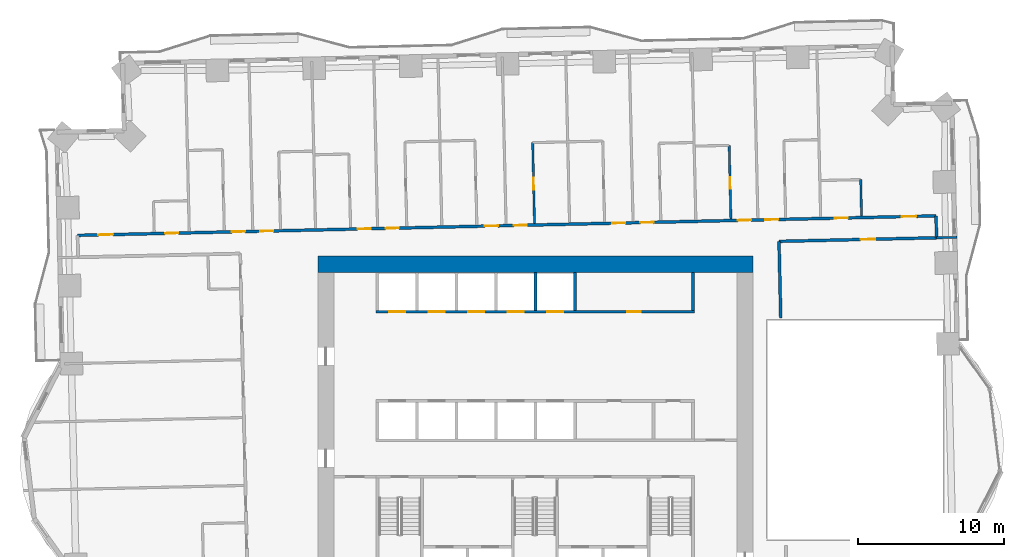
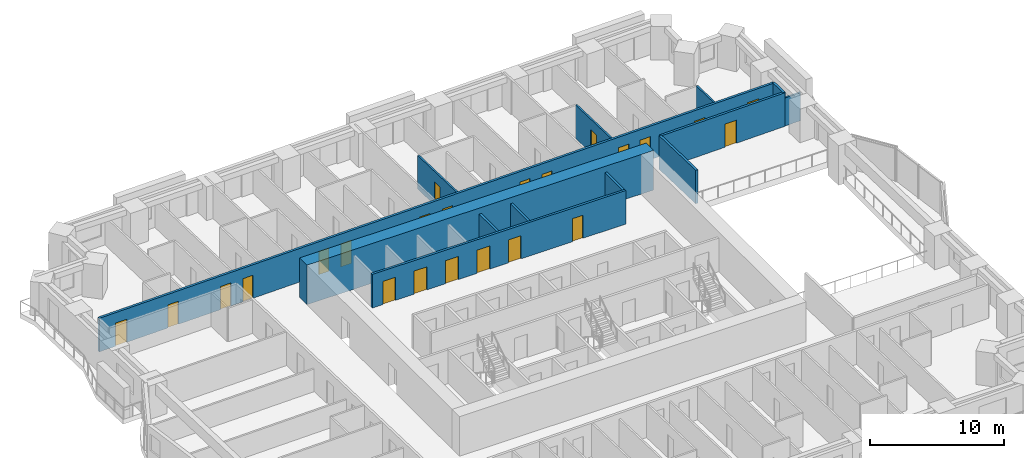
# One storey, part 10 of 16: 23 doors, 13 walls, 23 openings.
"""IFC4 building model written with IfcOpenShell, lengths in metres."""

import ifcopenshell
import ifcopenshell.guid

model = None  # the IFC model being written
_history = None  # IfcOwnerHistory: only IFC2X3 demands one
_inside = {}  # id of a spatial element -> (the spatial element, [elements in it])
_under = {}  # id of a project, library or spatial element -> (it, [spatial elements below it])
_declared = {}  # id of a project -> (the project, [libraries it declares])
_typed = {}  # id of a type object -> (the type object, [elements of that type])
_made_of = {}  # id of a material, layer set ... -> (it, [elements and type objects made of it])


def new_model(schema):
    """Start an empty IFC model of exactly this schema.

    Asked for "IFC4X3", IfcOpenShell would pick the latest addendum, in which some entities
    have other attributes; the version numbers below select the first issue.
    IFC2X3 requires an IfcOwnerHistory on every rooted entity: one is made here for all.
    """
    global model, _history
    if schema == "IFC4X3":
        model = ifcopenshell.file(schema_version=(4, 3, 0, 0))
    else:
        model = ifcopenshell.file(schema=schema)
    _inside.clear()
    _under.clear()
    _declared.clear()
    _typed.clear()
    _made_of.clear()
    _history = None
    if model.schema == "IFC2X3":
        org = make("IfcOrganization", Name="unknown")
        user = make(
            "IfcPersonAndOrganization",
            ThePerson=make("IfcPerson", FamilyName="unknown"),
            TheOrganization=org,
        )
        app = make(
            "IfcApplication",
            ApplicationDeveloper=org,
            Version="unknown",
            ApplicationFullName="unknown",
            ApplicationIdentifier="unknown",
        )
        _history = make(
            "IfcOwnerHistory",
            OwningUser=user,
            OwningApplication=app,
            ChangeAction="ADDED",
            CreationDate=0,
        )
    return model


def make(cls, **values):
    """One entity of the class cls with the attributes given. An attribute that is None is left unset."""
    return model.create_entity(
        cls, **{name: value for name, value in values.items() if value is not None}
    )


def rooted(cls, **values):
    """An entity with a GlobalId (a new one), such as an element, a storey or a relation."""
    return make(cls, GlobalId=ifcopenshell.guid.new(), OwnerHistory=_history, **values)


def si_unit(unit_type, name, prefix=None):
    """IfcSIUnit, for example si_unit("LENGTHUNIT", "METRE", prefix="MILLI")."""
    return make("IfcSIUnit", UnitType=unit_type, Prefix=prefix, Name=name)


def assignment(units):
    """IfcUnitAssignment: the units of a project."""
    return None if units is None else make("IfcUnitAssignment", Units=units)


def point(xyz):
    """IfcCartesianPoint."""
    return None if xyz is None else make("IfcCartesianPoint", Coordinates=xyz)


def direction(xyz):
    """IfcDirection."""
    return None if xyz is None else make("IfcDirection", DirectionRatios=xyz)


def frame(location, z_axis=None, x_axis=None):
    """IfcAxis2Placement3D, a coordinate frame: its origin and axes. An axis left out is left unset."""
    return make(
        "IfcAxis2Placement3D",
        Location=point(location),
        Axis=direction(z_axis),
        RefDirection=direction(x_axis),
    )


def frame_2d(location, x_axis=None):
    """IfcAxis2Placement2D, a coordinate frame in the plane: its origin and x axis."""
    return make(
        "IfcAxis2Placement2D", Location=point(location), RefDirection=direction(x_axis)
    )


def origin():
    """The frame at (0, 0, 0) with its axes left unset."""
    return frame((0.0, 0.0, 0.0))


def place(relative_to, where):
    """IfcLocalPlacement: puts the frame where relative to a parent placement (None: the world)."""
    return make(
        "IfcLocalPlacement", PlacementRelTo=relative_to, RelativePlacement=where
    )


def context(
    kind, dimensions, precision=None, world=None, true_north=None, identifier=None
):
    """IfcGeometricRepresentationContext, for example the 3D "Model" context."""
    return make(
        "IfcGeometricRepresentationContext",
        ContextIdentifier=identifier,
        ContextType=kind,
        CoordinateSpaceDimension=dimensions,
        Precision=precision,
        WorldCoordinateSystem=world,
        TrueNorth=true_north,
    )


def subcontext(parent, identifier, kind, view, scale=None):
    """IfcGeometricRepresentationSubContext, for example "Body" below "Model"."""
    return make(
        "IfcGeometricRepresentationSubContext",
        ContextIdentifier=identifier,
        ContextType=kind,
        ParentContext=parent,
        TargetScale=scale,
        TargetView=view,
    )


def project(units=None, contexts=None):
    """IfcProject with its units and contexts."""
    return rooted(
        "IfcProject",
        Name="project",
        RepresentationContexts=contexts,
        UnitsInContext=assignment(units),
    )


def spatial(cls, under=None, at=None, **own):
    """A site, building, storey or space (cls), placed at a placement, below another one or the project."""
    s = rooted(cls, ObjectPlacement=at, **own)
    if under is not None:
        _under.setdefault(under.id(), (under, []))[1].append(s)
    return s


def profile(cls, at=None, kind="AREA", **sizes):
    """A parametric profile (cls). Its sizes go by their IFC names, for example OverallWidth=200.0."""
    return make(cls, ProfileType=kind, Position=at, **sizes)


def rectangle(**sizes):
    """IfcRectangleProfileDef."""
    return profile("IfcRectangleProfileDef", **sizes)


def extrude(swept, where, along, depth):
    """IfcExtrudedAreaSolid: the profile swept, set in the frame where, extruded along a direction by depth."""
    return make(
        "IfcExtrudedAreaSolid",
        SweptArea=swept,
        Position=where,
        ExtrudedDirection=direction(along),
        Depth=depth,
    )


def shape(context_of_items, identifier, shape_type, items):
    """IfcShapeRepresentation: the items that make up one representation, for example the "Body"."""
    return make(
        "IfcShapeRepresentation",
        ContextOfItems=context_of_items,
        RepresentationIdentifier=identifier,
        RepresentationType=shape_type,
        Items=items,
    )


def material(Name=None, Category=None):
    """IfcMaterial."""
    return make("IfcMaterial", Name=Name, Category=Category)


def layer(
    of_material, thickness, ventilated=None, Name=None, Category=None, Priority=None
):
    """IfcMaterialLayer: one layer of a wall or slab, of a material (None: an air gap)."""
    return make(
        "IfcMaterialLayer",
        Material=of_material,
        LayerThickness=thickness,
        IsVentilated=ventilated,
        Name=Name,
        Category=Category,
        Priority=Priority,
    )


def layer_set(layers, Name=None):
    """IfcMaterialLayerSet."""
    return make("IfcMaterialLayerSet", MaterialLayers=layers, LayerSetName=Name)


def made_of(thing, what):
    """Note that an element or type object is made of a material, layer set ...; save() writes the relation."""
    if what is not None:
        _made_of.setdefault(what.id(), (what, []))[1].append(thing)
    return thing


def type_object(cls, material=None, **own):
    """A type object (cls), such as IfcWallType, which elements share."""
    return made_of(rooted(cls, **own), material)


def element(
    cls,
    number,
    at=None,
    inside=None,
    cuts=None,
    type_object=None,
    material=None,
    context=None,
    identifier="Body",
    shape_type=None,
    held_by="IfcProductDefinitionShape",
    body=None,
    shapes=None,
    **own,
):
    """One element of the class cls, such as IfcWall. Its Tag is "e" and its number.

    at: its placement. inside: the storey or other place that contains it. cuts: it is an
    opening in that element (IfcRelVoidsElement). A single representation is given by context,
    identifier, shape_type and body (its items); several are given by shapes. held_by: the class
    of the entity that holds the representations. save() writes the other relations.
    """
    e = rooted(cls, Tag="e%d" % number, ObjectPlacement=at, **own)
    if body is not None:
        shapes = [shape(context, identifier, shape_type, body)]
    if shapes is not None:
        e.Representation = make(held_by, Representations=shapes)
    if inside is not None:
        _inside.setdefault(inside.id(), (inside, []))[1].append(e)
    if cuts is not None:
        rooted(
            "IfcRelVoidsElement", RelatingBuildingElement=cuts, RelatedOpeningElement=e
        )
    if type_object is not None:
        _typed.setdefault(type_object.id(), (type_object, []))[1].append(e)
    return made_of(e, material)


def fill(opening, filler):
    """IfcRelFillsElement: the door or window that sits in an opening."""
    return rooted(
        "IfcRelFillsElement",
        RelatingOpeningElement=opening,
        RelatedBuildingElement=filler,
    )


def aggregate(whole, parts):
    """IfcRelAggregates: a whole, such as a stair, and the parts it consists of."""
    return rooted("IfcRelAggregates", RelatingObject=whole, RelatedObjects=parts)


def save(model, path):
    """Write the relations noted so far, then the file.

    IfcRelAggregates (storeys below a building ...), IfcRelContainedInSpatialStructure (elements
    in a storey), IfcRelDefinesByType, IfcRelAssociatesMaterial and IfcRelDeclares: one each for
    every whole, place, type object, material and project.
    """
    for whole, parts in _under.values():
        aggregate(whole, parts)
    for where, things in _inside.values():
        rooted(
            "IfcRelContainedInSpatialStructure",
            RelatedElements=things,
            RelatingStructure=where,
        )
    for kind, things in _typed.values():
        rooted("IfcRelDefinesByType", RelatedObjects=things, RelatingType=kind)
    for what, things in _made_of.values():
        rooted("IfcRelAssociatesMaterial", RelatedObjects=things, RelatingMaterial=what)
    for by, libraries in _declared.values():
        rooted("IfcRelDeclares", RelatingContext=by, RelatedDefinitions=libraries)
    model.write(path)


model = new_model("IFC4")

# Units and contexts
model_context = context("Model", 3, precision=1e-05, world=origin(), true_north=direction((0.0, 1.0)))
body_context = subcontext(model_context, "Body", "Model", "MODEL_VIEW")
ifc_project = project(units=[si_unit("LENGTHUNIT", "METRE"), si_unit("AREAUNIT", "SQUARE_METRE"), si_unit("VOLUMEUNIT", "CUBIC_METRE"), si_unit("PLANEANGLEUNIT", "RADIAN"), si_unit("MASSUNIT", "GRAM", prefix="KILO")], contexts=[model_context])

# Site, building, storey
site_placement = place(None, origin())
site = spatial("IfcSite", under=ifc_project, at=site_placement, CompositionType="ELEMENT")
building_placement = place(site_placement, origin())
building = spatial("IfcBuilding", under=site, at=building_placement, Name="Mangrove Gate Tower", CompositionType="ELEMENT")
storey_placement = place(building_placement, frame((0.0, 0.0, 41.300048828125)))
storey = spatial("IfcBuildingStorey", under=building, at=storey_placement, Name="L09", CompositionType="ELEMENT", Elevation=41.300048828125)

# Wall
ifc_material_1 = material(Name="Concrete C32/40", Category="concrete")
ifc_layer_1 = layer(ifc_material_1, 0.199951171875)
ifc_layer_set_1 = layer_set([ifc_layer_1], Name="Core room wall 200 C32/40")
wall_type_1 = type_object("IfcWallType", Name="Core room wall 200 C32/40", PredefinedType="STANDARD", material=ifc_layer_set_1)
wall_1_placement = place(storey_placement, frame((10.800048828125, 8.199951171875, 0.0), z_axis=(0.0, 0.0, 1.0), x_axis=(0.0, 1.0, 0.0)))
element("IfcWall", 1, at=wall_1_placement, inside=storey, type_object=wall_type_1, Name="WALL-L09-CORE-33", PredefinedType="STANDARD", context=body_context, shape_type="SweptSolid", body=[
    extrude(rectangle(XDim=2.60009765625, YDim=0.199951171875, at=frame_2d((1.300048828125, 0.0))), origin(), (0.0, 0.0, 1.0), 3.050048828125),
])

# Wall, openings, doors
ifc_material_2 = material(Name="Concrete C70/85", Category="concrete")
ifc_layer_2 = layer(ifc_material_2, 0.199951171875)
ifc_layer_set_2 = layer_set([ifc_layer_2], Name="Core shaft wall 200 C70/85")
wall_type_2 = type_object("IfcWallType", Name="Core shaft wall 200 C70/85", PredefinedType="SHEAR", material=ifc_layer_set_2)
wall_2_placement = place(storey_placement, frame((-10.89990234375, 8.10009765625, 0.0), z_axis=(0.0, 0.0, 1.0), x_axis=(1.0, 0.0, 0.0)))
wall_2 = element("IfcWall", 2, at=wall_2_placement, inside=storey, type_object=wall_type_2, Name="WALL-L09-CORE-8", PredefinedType="SHEAR", context=body_context, shape_type="SweptSolid", body=[
    extrude(rectangle(XDim=21.7998046875, YDim=0.199951171875, at=frame_2d((10.89990234375, 0.0))), origin(), (0.0, 0.0, 1.0), 3.050048828125),
])
opening_1_placement = place(wall_2_placement, frame((0.89990234375, 0.0, 0.0)))
opening_1 = element("IfcOpeningElement", 3, at=opening_1_placement, cuts=wall_2, Name="Opening LD", PredefinedType="OPENING", context=body_context, shape_type="SweptSolid", body=[
    extrude(rectangle(XDim=1.10009765625, YDim=2.10009765625, at=frame_2d((0.550048828125, 1.050048828125))), frame((0.0, 0.10986328125, 0.0), z_axis=(0.0, -1.0, 0.0), x_axis=(1.0, 0.0, 0.0)), (0.0, 0.0, 1.0), 0.219970703125),
])
opening_2_placement = place(wall_2_placement, frame((3.60009765625, 0.0, 0.0)))
opening_2 = element("IfcOpeningElement", 4, at=opening_2_placement, cuts=wall_2, Name="Opening LD", PredefinedType="OPENING", context=body_context, shape_type="SweptSolid", body=[
    extrude(rectangle(XDim=1.10009765625, YDim=2.10009765625, at=frame_2d((0.550048828125, 1.050048828125))), frame((0.0, 0.10986328125, 0.0), z_axis=(0.0, -1.0, 0.0), x_axis=(1.0, 0.0, 0.0)), (0.0, 0.0, 1.0), 0.219970703125),
])
opening_3_placement = place(wall_2_placement, frame((6.300048828125, 0.0, 0.0)))
opening_3 = element("IfcOpeningElement", 5, at=opening_3_placement, cuts=wall_2, Name="Opening LD", PredefinedType="OPENING", context=body_context, shape_type="SweptSolid", body=[
    extrude(rectangle(XDim=1.10009765625, YDim=2.10009765625, at=frame_2d((0.550048828125, 1.050048828125))), frame((0.0, 0.10986328125, 0.0), z_axis=(0.0, -1.0, 0.0), x_axis=(1.0, 0.0, 0.0)), (0.0, 0.0, 1.0), 0.219970703125),
])
opening_4_placement = place(wall_2_placement, frame((9.0, 0.0, 0.0)))
opening_4 = element("IfcOpeningElement", 6, at=opening_4_placement, cuts=wall_2, Name="Opening LD", PredefinedType="OPENING", context=body_context, shape_type="SweptSolid", body=[
    extrude(rectangle(XDim=1.10009765625, YDim=2.10009765625, at=frame_2d((0.550048828125, 1.050048828125))), frame((0.0, 0.10986328125, 0.0), z_axis=(0.0, -1.0, 0.0), x_axis=(1.0, 0.0, 0.0)), (0.0, 0.0, 1.0), 0.219970703125),
])
opening_5_placement = place(wall_2_placement, frame((11.699951171875, 0.0, 0.0)))
opening_5 = element("IfcOpeningElement", 7, at=opening_5_placement, cuts=wall_2, Name="Opening LD", PredefinedType="OPENING", context=body_context, shape_type="SweptSolid", body=[
    extrude(rectangle(XDim=1.10009765625, YDim=2.10009765625, at=frame_2d((0.550048828125, 1.050048828125))), frame((0.0, 0.10986328125, 0.0), z_axis=(0.0, -1.0, 0.0), x_axis=(1.0, 0.0, 0.0)), (0.0, 0.0, 1.0), 0.219970703125),
])
opening_6_placement = place(wall_2_placement, frame((17.199951171875, 0.0, 0.0)))
opening_6 = element("IfcOpeningElement", 8, at=opening_6_placement, cuts=wall_2, Name="Opening KD", PredefinedType="OPENING", context=body_context, shape_type="SweptSolid", body=[
    extrude(rectangle(XDim=0.89990234375, YDim=2.10009765625, at=frame_2d((0.449951171875, 1.050048828125))), frame((0.0, 0.10986328125, 0.0), z_axis=(0.0, -1.0, 0.0), x_axis=(1.0, 0.0, 0.0)), (0.0, 0.0, 1.0), 0.219970703125),
])
ifc_material_3 = material(Name="Fire-rated steel door set", Category="steel")
door_type_1 = type_object("IfcDoorType", Name="Core room door FD30S 900x2100", OperationType="SINGLE_SWING_RIGHT", PredefinedType="DOOR", material=ifc_material_3)
door_1_placement = place(opening_6_placement, origin())
door_1 = element("IfcDoor", 9, at=door_1_placement, inside=storey, type_object=door_type_1, Name="Core room door Refuse store", OperationType="SINGLE_SWING_RIGHT", OverallHeight=2.10009765625, OverallWidth=0.89990234375, PredefinedType="DOOR", context=body_context, shape_type="SweptSolid", body=[
    extrude(rectangle(XDim=0.89990234375, YDim=2.10009765625, at=frame_2d((0.449951171875, 1.050048828125))), frame((0.0, 0.02490234375, 0.0), z_axis=(0.0, -1.0, 0.0), x_axis=(1.0, 0.0, 0.0)), (0.0, 0.0, 1.0), 0.050048828125),
])
fill(opening_6, door_1)
ifc_material_4 = material(Name="Stainless steel 316", Category="steel")
door_type_2 = type_object("IfcDoorType", Name="Lift landing door 1100x2100", OperationType="SLIDING_TO_LEFT", PredefinedType="DOOR", material=ifc_material_4)
door_2_placement = place(opening_1_placement, origin())
door_2 = element("IfcDoor", 10, at=door_2_placement, inside=storey, type_object=door_type_2, Name="Landing door LD P06", OperationType="SLIDING_TO_LEFT", OverallHeight=2.10009765625, OverallWidth=1.10009765625, PredefinedType="DOOR", context=body_context, shape_type="SweptSolid", body=[
    extrude(rectangle(XDim=1.10009765625, YDim=2.10009765625, at=frame_2d((0.550048828125, 1.050048828125))), frame((0.0, 0.02490234375, 0.0), z_axis=(0.0, -1.0, 0.0), x_axis=(1.0, 0.0, 0.0)), (0.0, 0.0, 1.0), 0.050048828125),
])
fill(opening_1, door_2)
door_3_placement = place(opening_2_placement, origin())
door_3 = element("IfcDoor", 11, at=door_3_placement, inside=storey, type_object=door_type_2, Name="Landing door LD P07", OperationType="SLIDING_TO_LEFT", OverallHeight=2.10009765625, OverallWidth=1.10009765625, PredefinedType="DOOR", context=body_context, shape_type="SweptSolid", body=[
    extrude(rectangle(XDim=1.10009765625, YDim=2.10009765625, at=frame_2d((0.550048828125, 1.050048828125))), frame((0.0, 0.02490234375, 0.0), z_axis=(0.0, -1.0, 0.0), x_axis=(1.0, 0.0, 0.0)), (0.0, 0.0, 1.0), 0.050048828125),
])
fill(opening_2, door_3)
door_4_placement = place(opening_3_placement, origin())
door_4 = element("IfcDoor", 12, at=door_4_placement, inside=storey, type_object=door_type_2, Name="Landing door LD P08", OperationType="SLIDING_TO_LEFT", OverallHeight=2.10009765625, OverallWidth=1.10009765625, PredefinedType="DOOR", context=body_context, shape_type="SweptSolid", body=[
    extrude(rectangle(XDim=1.10009765625, YDim=2.10009765625, at=frame_2d((0.550048828125, 1.050048828125))), frame((0.0, 0.02490234375, 0.0), z_axis=(0.0, -1.0, 0.0), x_axis=(1.0, 0.0, 0.0)), (0.0, 0.0, 1.0), 0.050048828125),
])
fill(opening_3, door_4)
door_5_placement = place(opening_4_placement, origin())
door_5 = element("IfcDoor", 13, at=door_5_placement, inside=storey, type_object=door_type_2, Name="Landing door LD P09", OperationType="SLIDING_TO_LEFT", OverallHeight=2.10009765625, OverallWidth=1.10009765625, PredefinedType="DOOR", context=body_context, shape_type="SweptSolid", body=[
    extrude(rectangle(XDim=1.10009765625, YDim=2.10009765625, at=frame_2d((0.550048828125, 1.050048828125))), frame((0.0, 0.02490234375, 0.0), z_axis=(0.0, -1.0, 0.0), x_axis=(1.0, 0.0, 0.0)), (0.0, 0.0, 1.0), 0.050048828125),
])
fill(opening_4, door_5)
door_6_placement = place(opening_5_placement, origin())
door_6 = element("IfcDoor", 14, at=door_6_placement, inside=storey, type_object=door_type_2, Name="Landing door LD P10", OperationType="SLIDING_TO_LEFT", OverallHeight=2.10009765625, OverallWidth=1.10009765625, PredefinedType="DOOR", context=body_context, shape_type="SweptSolid", body=[
    extrude(rectangle(XDim=1.10009765625, YDim=2.10009765625, at=frame_2d((0.550048828125, 1.050048828125))), frame((0.0, 0.02490234375, 0.0), z_axis=(0.0, -1.0, 0.0), x_axis=(1.0, 0.0, 0.0)), (0.0, 0.0, 1.0), 0.050048828125),
])
fill(opening_5, door_6)

# Walls
for number, where, z_axis, x_axis, name in (
    (15, (0.0, 8.199951171875, 0.0), (0.0, 0.0, 1.0), (0.0, 1.0, 0.0), "WALL-L09-CORE-31"),
    (16, (2.699951171875, 8.199951171875, 0.0), (0.0, 0.0, 1.0), (0.0, 1.0, 0.0), "WALL-L09-CORE-32"),
):
    element("IfcWall", number, at=place(storey_placement, frame(where, z_axis=z_axis, x_axis=x_axis)), inside=storey, type_object=wall_type_2, Name=name, PredefinedType="SHEAR", context=body_context, shape_type="SweptSolid", body=[
        extrude(rectangle(XDim=2.60009765625, YDim=0.199951171875, at=frame_2d((1.300048828125, 0.0))), origin(), (0.0, 0.0, 1.0), 3.050048828125),
    ])
ifc_material_5 = material(Name="Concrete C70/85", Category="concrete")
ifc_layer_3 = layer(ifc_material_5, 1.10009765625)
ifc_layer_set_3 = layer_set([ifc_layer_3], Name="Core wall 1100 C70/85")
wall_type_3 = type_object("IfcWallType", Name="Core wall 1100 C70/85", PredefinedType="SHEAR", material=ifc_layer_set_3)
wall_3_placement = place(storey_placement, frame((-14.89990234375, 11.35009765625, 0.0), z_axis=(0.0, 0.0, 1.0), x_axis=(1.0, 0.0, 0.0)))
element("IfcWall", 17, at=wall_3_placement, inside=storey, type_object=wall_type_3, Name="WALL-L09-CORE-2", PredefinedType="SHEAR", context=body_context, shape_type="SweptSolid", body=[
    extrude(rectangle(XDim=29.7998046875, YDim=1.10009765625, at=frame_2d((14.89990234375, 0.0))), origin(), (0.0, 0.0, 1.0), 3.599853515625),
])
ifc_material_6 = material(Name="Gypsum board on steel stud, EI 60", Category="steel")
ifc_layer_4 = layer(ifc_material_6, 0.199951171875)
ifc_layer_set_4 = layer_set([ifc_layer_4], Name="Corridor wall EI 60")
wall_type_4 = type_object("IfcWallType", Name="Corridor wall EI 60", PredefinedType="PARTITIONING", material=ifc_layer_set_4)
wall_4_placement = place(storey_placement, frame((16.802978515625, 7.675048828125, 0.0), z_axis=(0.0, 0.0, 1.0), x_axis=(-0.022667483124, 0.999743059595, 0.0)))
element("IfcWall", 18, at=wall_4_placement, inside=storey, type_object=wall_type_4, Name="WALL-L09-047", PredefinedType="PARTITIONING", context=body_context, shape_type="SweptSolid", body=[
    extrude(rectangle(XDim=5.245361328125, YDim=0.199951171875, at=frame_2d((2.62255859375, 0.0))), origin(), (0.0, 0.0, 1.0), 3.050048828125),
])

# Wall, opening, door
wall_5_placement = place(storey_placement, frame((16.678955078125, 12.91796875, 0.0), z_axis=(0.0, 0.0, 1.0), x_axis=(0.999742162372, 0.022707020428, 0.0)))
wall_5 = element("IfcWall", 19, at=wall_5_placement, inside=storey, type_object=wall_type_4, Name="WALL-L09-053", PredefinedType="PARTITIONING", context=body_context, shape_type="SweptSolid", body=[
    extrude(rectangle(XDim=10.794677734375, YDim=0.199951171875, at=frame_2d((5.3974609375, 0.0))), origin(), (0.0, 0.0, 1.0), 3.050048828125),
])
opening_7_placement = place(wall_5_placement, frame((5.597900390625, 0.0, 0.0)))
opening_7 = element("IfcOpeningElement", 20, at=opening_7_placement, cuts=wall_5, Name="Opening AD", PredefinedType="OPENING", context=body_context, shape_type="SweptSolid", body=[
    extrude(rectangle(XDim=1.0, YDim=2.10009765625, at=frame_2d((0.5, 1.050048828125))), frame((0.0, 0.10986328125, 0.0), z_axis=(0.0, -1.0, 0.0), x_axis=(1.0, 0.0, 0.0)), (0.0, 0.0, 1.0), 0.219970703125),
])
ifc_material_7 = material(Name="Timber door leaf", Category="wood")
door_type_3 = type_object("IfcDoorType", Name="Amenity door 1000", OperationType="SINGLE_SWING_LEFT", PredefinedType="DOOR", material=ifc_material_7)
door_7_placement = place(opening_7_placement, origin())
door_7 = element("IfcDoor", 21, at=door_7_placement, inside=storey, type_object=door_type_3, Name="DOOR-L09-GAM-c3b", OperationType="SINGLE_SWING_RIGHT", OverallHeight=2.10009765625, OverallWidth=1.0, PredefinedType="DOOR", context=body_context, shape_type="SweptSolid", body=[
    extrude(rectangle(XDim=1.0, YDim=2.10009765625, at=frame_2d((0.5, 1.050048828125))), frame((0.0, 0.02490234375, 0.0), z_axis=(0.0, -1.0, 0.0), x_axis=(1.0, 0.0, 0.0)), (0.0, 0.0, 1.0), 0.050048828125),
])
fill(opening_7, door_7)

# Wall
wall_6_placement = place(storey_placement, frame((27.470947265625, 13.1630859375, 0.0), z_axis=(0.0, 0.0, 1.0), x_axis=(-0.022617910375, 0.999744182344, 0.0)))
element("IfcWall", 22, at=wall_6_placement, inside=storey, type_object=wall_type_4, Name="WALL-L09-055", PredefinedType="PARTITIONING", context=body_context, shape_type="SweptSolid", body=[
    extrude(rectangle(XDim=1.50048828125, YDim=0.199951171875, at=frame_2d((0.750244140625, 0.0))), origin(), (0.0, 0.0, 1.0), 3.050048828125),
])

# Wall, openings, doors
wall_7_placement = place(storey_placement, frame((-31.346923828125, 13.3291015625, 0.0), z_axis=(0.0, 0.0, 1.0), x_axis=(0.999742613079, 0.022687168058, 0.0)))
wall_7 = element("IfcWall", 23, at=wall_7_placement, inside=storey, type_object=wall_type_4, Name="WALL-L09-056", PredefinedType="PARTITIONING", context=body_context, shape_type="SweptSolid", body=[
    extrude(rectangle(XDim=58.799072265625, YDim=0.199951171875, at=frame_2d((29.3994140625, 0.0))), origin(), (0.0, 0.0, 1.0), 3.050048828125),
])
opening_8_placement = place(wall_7_placement, frame((56.449951171875, 0.0, 0.0)))
opening_8 = element("IfcOpeningElement", 24, at=opening_8_placement, cuts=wall_7, Name="Opening AD", PredefinedType="OPENING", context=body_context, shape_type="SweptSolid", body=[
    extrude(rectangle(XDim=1.0, YDim=2.10009765625, at=frame_2d((0.5, 1.050048828125))), frame((0.0, 0.10986328125, 0.0), z_axis=(0.0, -1.0, 0.0), x_axis=(1.0, 0.0, 0.0)), (0.0, 0.0, 1.0), 0.219970703125),
])
opening_9_placement = place(wall_7_placement, frame((51.85009765625, 0.0, 0.0)))
opening_9 = element("IfcOpeningElement", 25, at=opening_9_placement, cuts=wall_7, Name="Opening SD", PredefinedType="OPENING", context=body_context, shape_type="SweptSolid", body=[
    extrude(rectangle(XDim=0.89990234375, YDim=2.10009765625, at=frame_2d((0.449951171875, 1.050048828125))), frame((0.0, 0.10986328125, 0.0), z_axis=(0.0, -1.0, 0.0), x_axis=(1.0, 0.0, 0.0)), (0.0, 0.0, 1.0), 0.219970703125),
])
opening_10_placement = place(wall_7_placement, frame((47.10009765625, 0.0, 0.0)))
opening_10 = element("IfcOpeningElement", 26, at=opening_10_placement, cuts=wall_7, Name="Opening BD", PredefinedType="OPENING", context=body_context, shape_type="SweptSolid", body=[
    extrude(rectangle(XDim=0.89990234375, YDim=2.10009765625, at=frame_2d((0.449951171875, 1.050048828125))), frame((0.0, 0.10986328125, 0.0), z_axis=(0.0, -1.0, 0.0), x_axis=(1.0, 0.0, 0.0)), (0.0, 0.0, 1.0), 0.219970703125),
])
opening_11_placement = place(wall_7_placement, frame((45.22509765625, 0.0, 0.0)))
opening_11 = element("IfcOpeningElement", 27, at=opening_11_placement, cuts=wall_7, Name="Opening BD", PredefinedType="OPENING", context=body_context, shape_type="SweptSolid", body=[
    extrude(rectangle(XDim=0.89990234375, YDim=2.10009765625, at=frame_2d((0.449951171875, 1.050048828125))), frame((0.0, 0.10986328125, 0.0), z_axis=(0.0, -1.0, 0.0), x_axis=(1.0, 0.0, 0.0)), (0.0, 0.0, 1.0), 0.219970703125),
])
opening_12_placement = place(wall_7_placement, frame((38.550048828125, 0.0, 0.0)))
opening_12 = element("IfcOpeningElement", 28, at=opening_12_placement, cuts=wall_7, Name="Opening BD", PredefinedType="OPENING", context=body_context, shape_type="SweptSolid", body=[
    extrude(rectangle(XDim=0.89990234375, YDim=2.10009765625, at=frame_2d((0.449951171875, 1.050048828125))), frame((0.0, 0.10986328125, 0.0), z_axis=(0.0, -1.0, 0.0), x_axis=(1.0, 0.0, 0.0)), (0.0, 0.0, 1.0), 0.219970703125),
])
opening_13_placement = place(wall_7_placement, frame((36.625, 0.0, 0.0)))
opening_13 = element("IfcOpeningElement", 29, at=opening_13_placement, cuts=wall_7, Name="Opening BD", PredefinedType="OPENING", context=body_context, shape_type="SweptSolid", body=[
    extrude(rectangle(XDim=0.89990234375, YDim=2.10009765625, at=frame_2d((0.449951171875, 1.050048828125))), frame((0.0, 0.10986328125, 0.0), z_axis=(0.0, -1.0, 0.0), x_axis=(1.0, 0.0, 0.0)), (0.0, 0.0, 1.0), 0.219970703125),
])
opening_14_placement = place(wall_7_placement, frame((29.875, 0.0, 0.0)))
opening_14 = element("IfcOpeningElement", 30, at=opening_14_placement, cuts=wall_7, Name="Opening BD", PredefinedType="OPENING", context=body_context, shape_type="SweptSolid", body=[
    extrude(rectangle(XDim=0.89990234375, YDim=2.10009765625, at=frame_2d((0.449951171875, 1.050048828125))), frame((0.0, 0.10986328125, 0.0), z_axis=(0.0, -1.0, 0.0), x_axis=(1.0, 0.0, 0.0)), (0.0, 0.0, 1.0), 0.219970703125),
])
opening_15_placement = place(wall_7_placement, frame((27.89990234375, 0.0, 0.0)))
opening_15 = element("IfcOpeningElement", 31, at=opening_15_placement, cuts=wall_7, Name="Opening BD", PredefinedType="OPENING", context=body_context, shape_type="SweptSolid", body=[
    extrude(rectangle(XDim=0.89990234375, YDim=2.10009765625, at=frame_2d((0.449951171875, 1.050048828125))), frame((0.0, 0.10986328125, 0.0), z_axis=(0.0, -1.0, 0.0), x_axis=(1.0, 0.0, 0.0)), (0.0, 0.0, 1.0), 0.219970703125),
])
opening_16_placement = place(wall_7_placement, frame((21.10009765625, 0.0, 0.0)))
opening_16 = element("IfcOpeningElement", 32, at=opening_16_placement, cuts=wall_7, Name="Opening BD", PredefinedType="OPENING", context=body_context, shape_type="SweptSolid", body=[
    extrude(rectangle(XDim=0.89990234375, YDim=2.10009765625, at=frame_2d((0.449951171875, 1.050048828125))), frame((0.0, 0.10986328125, 0.0), z_axis=(0.0, -1.0, 0.0), x_axis=(1.0, 0.0, 0.0)), (0.0, 0.0, 1.0), 0.219970703125),
])
opening_17_placement = place(wall_7_placement, frame((19.175048828125, 0.0, 0.0)))
opening_17 = element("IfcOpeningElement", 33, at=opening_17_placement, cuts=wall_7, Name="Opening BD", PredefinedType="OPENING", context=body_context, shape_type="SweptSolid", body=[
    extrude(rectangle(XDim=0.89990234375, YDim=2.10009765625, at=frame_2d((0.449951171875, 1.050048828125))), frame((0.0, 0.10986328125, 0.0), z_axis=(0.0, -1.0, 0.0), x_axis=(1.0, 0.0, 0.0)), (0.0, 0.0, 1.0), 0.219970703125),
])
opening_18_placement = place(wall_7_placement, frame((12.5, 0.0, 0.0)))
opening_18 = element("IfcOpeningElement", 34, at=opening_18_placement, cuts=wall_7, Name="Opening BD", PredefinedType="OPENING", context=body_context, shape_type="SweptSolid", body=[
    extrude(rectangle(XDim=0.89990234375, YDim=2.10009765625, at=frame_2d((0.449951171875, 1.050048828125))), frame((0.0, 0.10986328125, 0.0), z_axis=(0.0, -1.0, 0.0), x_axis=(1.0, 0.0, 0.0)), (0.0, 0.0, 1.0), 0.219970703125),
])
opening_19_placement = place(wall_7_placement, frame((10.574951171875, 0.0, 0.0)))
opening_19 = element("IfcOpeningElement", 35, at=opening_19_placement, cuts=wall_7, Name="Opening BD", PredefinedType="OPENING", context=body_context, shape_type="SweptSolid", body=[
    extrude(rectangle(XDim=0.89990234375, YDim=2.10009765625, at=frame_2d((0.449951171875, 1.050048828125))), frame((0.0, 0.10986328125, 0.0), z_axis=(0.0, -1.0, 0.0), x_axis=(1.0, 0.0, 0.0)), (0.0, 0.0, 1.0), 0.219970703125),
])
opening_20_placement = place(wall_7_placement, frame((1.425048828125, 0.0, 0.0)))
opening_20 = element("IfcOpeningElement", 36, at=opening_20_placement, cuts=wall_7, Name="Opening AD", PredefinedType="OPENING", context=body_context, shape_type="SweptSolid", body=[
    extrude(rectangle(XDim=1.0, YDim=2.10009765625, at=frame_2d((0.5, 1.050048828125))), frame((0.0, 0.10986328125, 0.0), z_axis=(0.0, -1.0, 0.0), x_axis=(1.0, 0.0, 0.0)), (0.0, 0.0, 1.0), 0.219970703125),
])
opening_21_placement = place(wall_7_placement, frame((6.0, 0.0, 0.0)))
opening_21 = element("IfcOpeningElement", 37, at=opening_21_placement, cuts=wall_7, Name="Opening SD", PredefinedType="OPENING", context=body_context, shape_type="SweptSolid", body=[
    extrude(rectangle(XDim=0.89990234375, YDim=2.10009765625, at=frame_2d((0.449951171875, 1.050048828125))), frame((0.0, 0.10986328125, 0.0), z_axis=(0.0, -1.0, 0.0), x_axis=(1.0, 0.0, 0.0)), (0.0, 0.0, 1.0), 0.219970703125),
])
door_8_placement = place(opening_8_placement, origin())
door_8 = element("IfcDoor", 38, at=door_8_placement, inside=storey, type_object=door_type_3, Name="DOOR-L09-GAM-c3c", OperationType="SINGLE_SWING_LEFT", OverallHeight=2.10009765625, OverallWidth=1.0, PredefinedType="DOOR", context=body_context, shape_type="SweptSolid", body=[
    extrude(rectangle(XDim=1.0, YDim=2.10009765625, at=frame_2d((0.5, 1.050048828125))), frame((0.0, 0.02490234375, 0.0), z_axis=(0.0, -1.0, 0.0), x_axis=(1.0, 0.0, 0.0)), (0.0, 0.0, 1.0), 0.050048828125),
])
fill(opening_8, door_8)
door_9_placement = place(opening_20_placement, origin())
door_9 = element("IfcDoor", 39, at=door_9_placement, inside=storey, type_object=door_type_3, Name="DOOR-L09-GAM-c5a", OperationType="SINGLE_SWING_RIGHT", OverallHeight=2.10009765625, OverallWidth=1.0, PredefinedType="DOOR", context=body_context, shape_type="SweptSolid", body=[
    extrude(rectangle(XDim=1.0, YDim=2.10009765625, at=frame_2d((0.5, 1.050048828125))), frame((0.0, 0.02490234375, 0.0), z_axis=(0.0, -1.0, 0.0), x_axis=(1.0, 0.0, 0.0)), (0.0, 0.0, 1.0), 0.050048828125),
])
fill(opening_20, door_9)
ifc_material_8 = material(Name="Timber door leaf", Category="wood")
door_type_4 = type_object("IfcDoorType", Name="Bedroom door 900", OperationType="SINGLE_SWING_LEFT", PredefinedType="DOOR", material=ifc_material_8)
door_10_placement = place(opening_10_placement, origin())
door_10 = element("IfcDoor", 40, at=door_10_placement, inside=storey, type_object=door_type_4, Name="DOOR-L09-BED-c310", OperationType="SINGLE_SWING_RIGHT", OverallHeight=2.10009765625, OverallWidth=0.89990234375, PredefinedType="DOOR", context=body_context, shape_type="SweptSolid", body=[
    extrude(rectangle(XDim=0.89990234375, YDim=2.10009765625, at=frame_2d((0.449951171875, 1.050048828125))), frame((0.0, 0.02490234375, 0.0), z_axis=(0.0, -1.0, 0.0), x_axis=(1.0, 0.0, 0.0)), (0.0, 0.0, 1.0), 0.050048828125),
])
fill(opening_10, door_10)
door_11_placement = place(opening_11_placement, origin())
door_11 = element("IfcDoor", 41, at=door_11_placement, inside=storey, type_object=door_type_4, Name="DOOR-L09-BED-c311", OperationType="SINGLE_SWING_LEFT", OverallHeight=2.10009765625, OverallWidth=0.89990234375, PredefinedType="DOOR", context=body_context, shape_type="SweptSolid", body=[
    extrude(rectangle(XDim=0.89990234375, YDim=2.10009765625, at=frame_2d((0.449951171875, 1.050048828125))), frame((0.0, 0.02490234375, 0.0), z_axis=(0.0, -1.0, 0.0), x_axis=(1.0, 0.0, 0.0)), (0.0, 0.0, 1.0), 0.050048828125),
])
fill(opening_11, door_11)
door_12_placement = place(opening_12_placement, origin())
door_12 = element("IfcDoor", 42, at=door_12_placement, inside=storey, type_object=door_type_4, Name="DOOR-L09-BED-c312", OperationType="SINGLE_SWING_RIGHT", OverallHeight=2.10009765625, OverallWidth=0.89990234375, PredefinedType="DOOR", context=body_context, shape_type="SweptSolid", body=[
    extrude(rectangle(XDim=0.89990234375, YDim=2.10009765625, at=frame_2d((0.449951171875, 1.050048828125))), frame((0.0, 0.02490234375, 0.0), z_axis=(0.0, -1.0, 0.0), x_axis=(1.0, 0.0, 0.0)), (0.0, 0.0, 1.0), 0.050048828125),
])
fill(opening_12, door_12)
door_13_placement = place(opening_13_placement, origin())
door_13 = element("IfcDoor", 43, at=door_13_placement, inside=storey, type_object=door_type_4, Name="DOOR-L09-BED-c413", OperationType="SINGLE_SWING_LEFT", OverallHeight=2.10009765625, OverallWidth=0.89990234375, PredefinedType="DOOR", context=body_context, shape_type="SweptSolid", body=[
    extrude(rectangle(XDim=0.89990234375, YDim=2.10009765625, at=frame_2d((0.449951171875, 1.050048828125))), frame((0.0, 0.02490234375, 0.0), z_axis=(0.0, -1.0, 0.0), x_axis=(1.0, 0.0, 0.0)), (0.0, 0.0, 1.0), 0.050048828125),
])
fill(opening_13, door_13)
door_14_placement = place(opening_14_placement, origin())
door_14 = element("IfcDoor", 44, at=door_14_placement, inside=storey, type_object=door_type_4, Name="DOOR-L09-BED-c414", OperationType="SINGLE_SWING_RIGHT", OverallHeight=2.10009765625, OverallWidth=0.89990234375, PredefinedType="DOOR", context=body_context, shape_type="SweptSolid", body=[
    extrude(rectangle(XDim=0.89990234375, YDim=2.10009765625, at=frame_2d((0.449951171875, 1.050048828125))), frame((0.0, 0.02490234375, 0.0), z_axis=(0.0, -1.0, 0.0), x_axis=(1.0, 0.0, 0.0)), (0.0, 0.0, 1.0), 0.050048828125),
])
fill(opening_14, door_14)
door_15_placement = place(opening_15_placement, origin())
door_15 = element("IfcDoor", 45, at=door_15_placement, inside=storey, type_object=door_type_4, Name="DOOR-L09-BED-c415", OperationType="SINGLE_SWING_LEFT", OverallHeight=2.10009765625, OverallWidth=0.89990234375, PredefinedType="DOOR", context=body_context, shape_type="SweptSolid", body=[
    extrude(rectangle(XDim=0.89990234375, YDim=2.10009765625, at=frame_2d((0.449951171875, 1.050048828125))), frame((0.0, 0.02490234375, 0.0), z_axis=(0.0, -1.0, 0.0), x_axis=(1.0, 0.0, 0.0)), (0.0, 0.0, 1.0), 0.050048828125),
])
fill(opening_15, door_15)
door_16_placement = place(opening_16_placement, origin())
door_16 = element("IfcDoor", 46, at=door_16_placement, inside=storey, type_object=door_type_4, Name="DOOR-L09-BED-c416", OperationType="SINGLE_SWING_RIGHT", OverallHeight=2.10009765625, OverallWidth=0.89990234375, PredefinedType="DOOR", context=body_context, shape_type="SweptSolid", body=[
    extrude(rectangle(XDim=0.89990234375, YDim=2.10009765625, at=frame_2d((0.449951171875, 1.050048828125))), frame((0.0, 0.02490234375, 0.0), z_axis=(0.0, -1.0, 0.0), x_axis=(1.0, 0.0, 0.0)), (0.0, 0.0, 1.0), 0.050048828125),
])
fill(opening_16, door_16)
door_17_placement = place(opening_17_placement, origin())
door_17 = element("IfcDoor", 47, at=door_17_placement, inside=storey, type_object=door_type_4, Name="DOOR-L09-BED-c517", OperationType="SINGLE_SWING_LEFT", OverallHeight=2.10009765625, OverallWidth=0.89990234375, PredefinedType="DOOR", context=body_context, shape_type="SweptSolid", body=[
    extrude(rectangle(XDim=0.89990234375, YDim=2.10009765625, at=frame_2d((0.449951171875, 1.050048828125))), frame((0.0, 0.02490234375, 0.0), z_axis=(0.0, -1.0, 0.0), x_axis=(1.0, 0.0, 0.0)), (0.0, 0.0, 1.0), 0.050048828125),
])
fill(opening_17, door_17)
door_18_placement = place(opening_18_placement, origin())
door_18 = element("IfcDoor", 48, at=door_18_placement, inside=storey, type_object=door_type_4, Name="DOOR-L09-BED-c518", OperationType="SINGLE_SWING_RIGHT", OverallHeight=2.10009765625, OverallWidth=0.89990234375, PredefinedType="DOOR", context=body_context, shape_type="SweptSolid", body=[
    extrude(rectangle(XDim=0.89990234375, YDim=2.10009765625, at=frame_2d((0.449951171875, 1.050048828125))), frame((0.0, 0.02490234375, 0.0), z_axis=(0.0, -1.0, 0.0), x_axis=(1.0, 0.0, 0.0)), (0.0, 0.0, 1.0), 0.050048828125),
])
fill(opening_18, door_18)
door_19_placement = place(opening_19_placement, origin())
door_19 = element("IfcDoor", 49, at=door_19_placement, inside=storey, type_object=door_type_4, Name="DOOR-L09-BED-c519", OperationType="SINGLE_SWING_LEFT", OverallHeight=2.10009765625, OverallWidth=0.89990234375, PredefinedType="DOOR", context=body_context, shape_type="SweptSolid", body=[
    extrude(rectangle(XDim=0.89990234375, YDim=2.10009765625, at=frame_2d((0.449951171875, 1.050048828125))), frame((0.0, 0.02490234375, 0.0), z_axis=(0.0, -1.0, 0.0), x_axis=(1.0, 0.0, 0.0)), (0.0, 0.0, 1.0), 0.050048828125),
])
fill(opening_19, door_19)
ifc_material_9 = material(Name="Timber door leaf", Category="wood")
door_type_5 = type_object("IfcDoorType", Name="Service room door 900", OperationType="SINGLE_SWING_LEFT", PredefinedType="DOOR", material=ifc_material_9)
door_20_placement = place(opening_9_placement, origin())
door_20 = element("IfcDoor", 50, at=door_20_placement, inside=storey, type_object=door_type_5, Name="DOOR-L09-LDY-c3a", OperationType="SINGLE_SWING_RIGHT", OverallHeight=2.10009765625, OverallWidth=0.89990234375, PredefinedType="DOOR", context=body_context, shape_type="SweptSolid", body=[
    extrude(rectangle(XDim=0.89990234375, YDim=2.10009765625, at=frame_2d((0.449951171875, 1.050048828125))), frame((0.0, 0.02490234375, 0.0), z_axis=(0.0, -1.0, 0.0), x_axis=(1.0, 0.0, 0.0)), (0.0, 0.0, 1.0), 0.050048828125),
])
fill(opening_9, door_20)
door_21_placement = place(opening_21_placement, origin())
door_21 = element("IfcDoor", 51, at=door_21_placement, inside=storey, type_object=door_type_5, Name="DOOR-L09-LIN-c5a", OperationType="SINGLE_SWING_LEFT", OverallHeight=2.10009765625, OverallWidth=0.89990234375, PredefinedType="DOOR", context=body_context, shape_type="SweptSolid", body=[
    extrude(rectangle(XDim=0.89990234375, YDim=2.10009765625, at=frame_2d((0.449951171875, 1.050048828125))), frame((0.0, 0.02490234375, 0.0), z_axis=(0.0, -1.0, 0.0), x_axis=(1.0, 0.0, 0.0)), (0.0, 0.0, 1.0), 0.050048828125),
])
fill(opening_21, door_21)

# Wall
ifc_material_10 = material(Name="Gypsum board on steel stud, EI 60", Category="steel")
ifc_layer_5 = layer(ifc_material_10, 0.14990234375)
ifc_layer_set_5 = layer_set([ifc_layer_5], Name="Party wall 150 EI 60")
wall_type_5 = type_object("IfcWallType", Name="Party wall 150 EI 60", PredefinedType="PARTITIONING", material=ifc_layer_set_5)
wall_8_placement = place(storey_placement, frame((27.470947265625, 13.1630859375, 0.0), z_axis=(0.0, 0.0, 1.0), x_axis=(0.999739219063, 0.022836240226, 0.0)))
element("IfcWall", 52, at=wall_8_placement, inside=storey, type_object=wall_type_5, Name="WALL-L09-054", PredefinedType="PARTITIONING", context=body_context, shape_type="SweptSolid", body=[
    extrude(rectangle(XDim=1.400390625, YDim=0.14990234375, at=frame_2d((0.7001953125, 0.0))), origin(), (0.0, 0.0, 1.0), 2.550048828125),
])

# Wall, opening, door
wall_9_placement = place(storey_placement, frame((-0.05810546875, 14.138916015625, 0.0), z_axis=(0.0, 0.0, 1.0), x_axis=(-0.02273742063, 0.999741471433, 0.0)))
wall_9 = element("IfcWall", 53, at=wall_9_placement, inside=storey, type_object=wall_type_5, Name="WALL-L09-069", PredefinedType="PARTITIONING", context=body_context, shape_type="SweptSolid", body=[
    extrude(rectangle(XDim=5.54052734375, YDim=0.14990234375, at=frame_2d((2.770263671875, 0.0))), origin(), (0.0, 0.0, 1.0), 3.050048828125),
])
opening_22_placement = place(wall_9_placement, frame((2.320068359375, 0.0, 0.0)))
opening_22 = element("IfcOpeningElement", 54, at=opening_22_placement, cuts=wall_9, Name="Opening ED", PredefinedType="OPENING", context=body_context, shape_type="SweptSolid", body=[
    extrude(rectangle(XDim=0.800048828125, YDim=2.10009765625, at=frame_2d((0.39990234375, 1.050048828125))), frame((0.0, 0.0849609375, 0.0), z_axis=(0.0, -1.0, 0.0), x_axis=(1.0, 0.0, 0.0)), (0.0, 0.0, 1.0), 0.169921875),
])
ifc_material_11 = material(Name="Timber door leaf", Category="wood")
door_type_6 = type_object("IfcDoorType", Name="En-suite door 800", OperationType="SINGLE_SWING_LEFT", PredefinedType="DOOR", material=ifc_material_11)
door_22_placement = place(opening_22_placement, origin())
door_22 = element("IfcDoor", 55, at=door_22_placement, inside=storey, type_object=door_type_6, Name="DOOR-L09-ENS-c414", OperationType="SINGLE_SWING_RIGHT", OverallHeight=2.10009765625, OverallWidth=0.800048828125, PredefinedType="DOOR", context=body_context, shape_type="SweptSolid", body=[
    extrude(rectangle(XDim=0.800048828125, YDim=2.10009765625, at=frame_2d((0.39990234375, 1.050048828125))), frame((0.0, 0.02490234375, 0.0), z_axis=(0.0, -1.0, 0.0), x_axis=(1.0, 0.0, 0.0)), (0.0, 0.0, 1.0), 0.050048828125),
])
fill(opening_22, door_22)

wall_10_placement = place(storey_placement, frame((13.388916015625, 14.444091796875, 0.0), z_axis=(0.0, 0.0, 1.0), x_axis=(-0.022769723731, 0.999740736232, 0.0)))
wall_10 = element("IfcWall", 56, at=wall_10_placement, inside=storey, type_object=wall_type_5, Name="WALL-L09-075", PredefinedType="PARTITIONING", context=body_context, shape_type="SweptSolid", body=[
    extrude(rectangle(XDim=5.050048828125, YDim=0.14990234375, at=frame_2d((2.52490234375, 0.0))), origin(), (0.0, 0.0, 1.0), 3.050048828125),
])
opening_23_placement = place(wall_10_placement, frame((2.074951171875, 0.0, 0.0)))
opening_23 = element("IfcOpeningElement", 57, at=opening_23_placement, cuts=wall_10, Name="Opening ED", PredefinedType="OPENING", context=body_context, shape_type="SweptSolid", body=[
    extrude(rectangle(XDim=0.800048828125, YDim=2.10009765625, at=frame_2d((0.39990234375, 1.050048828125))), frame((0.0, 0.0849609375, 0.0), z_axis=(0.0, -1.0, 0.0), x_axis=(1.0, 0.0, 0.0)), (0.0, 0.0, 1.0), 0.169921875),
])
door_23_placement = place(opening_23_placement, origin())
door_23 = element("IfcDoor", 58, at=door_23_placement, inside=storey, type_object=door_type_6, Name="DOOR-L09-ENS-c311", OperationType="SINGLE_SWING_LEFT", OverallHeight=2.10009765625, OverallWidth=0.800048828125, PredefinedType="DOOR", context=body_context, shape_type="SweptSolid", body=[
    extrude(rectangle(XDim=0.800048828125, YDim=2.10009765625, at=frame_2d((0.39990234375, 1.050048828125))), frame((0.0, 0.02490234375, 0.0), z_axis=(0.0, -1.0, 0.0), x_axis=(1.0, 0.0, 0.0)), (0.0, 0.0, 1.0), 0.050048828125),
])
fill(opening_23, door_23)

# Wall
wall_11_placement = place(storey_placement, frame((22.3359375, 14.64697265625, 0.0), z_axis=(0.0, 0.0, 1.0), x_axis=(-0.022357691225, 0.99975003558, 0.0)))
element("IfcWall", 59, at=wall_11_placement, inside=storey, type_object=wall_type_5, Name="WALL-L09-079", PredefinedType="PARTITIONING", context=body_context, shape_type="SweptSolid", body=[
    extrude(rectangle(XDim=2.500732421875, YDim=0.14990234375, at=frame_2d((1.25048828125, 0.0))), origin(), (0.0, 0.0, 1.0), 3.050048828125),
])

save(model, "model.ifc")
